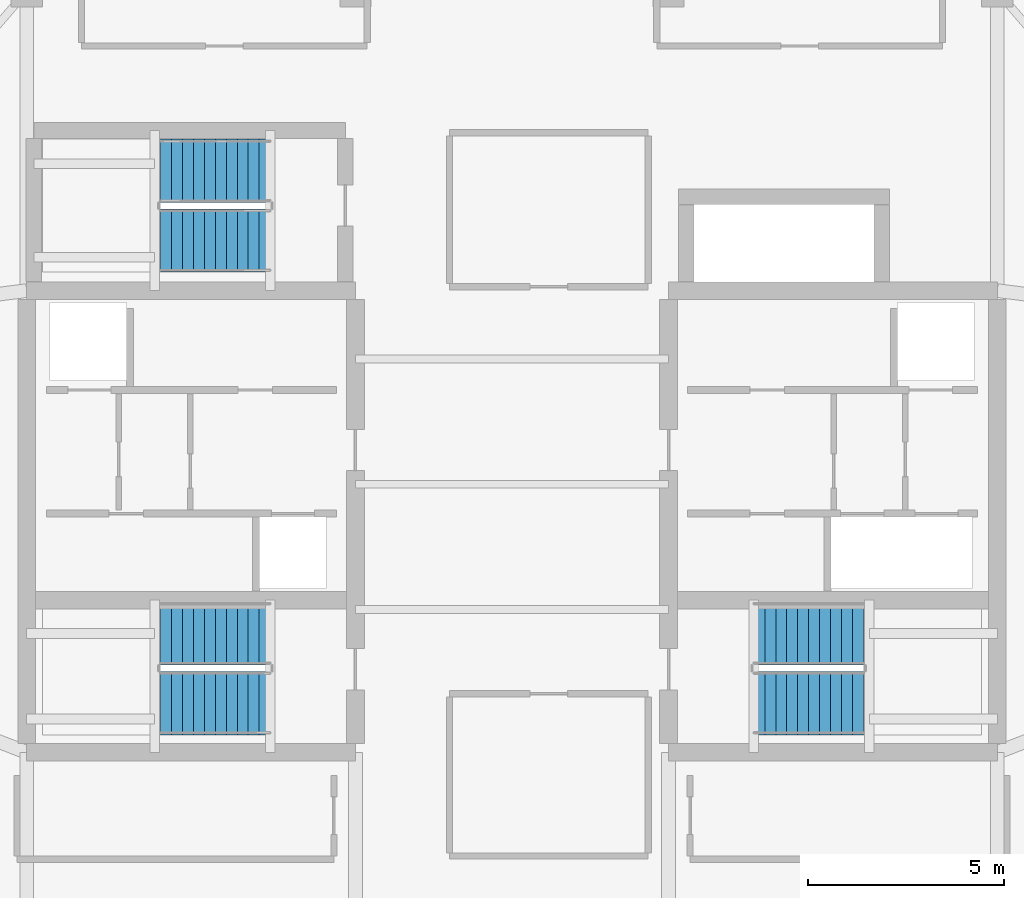
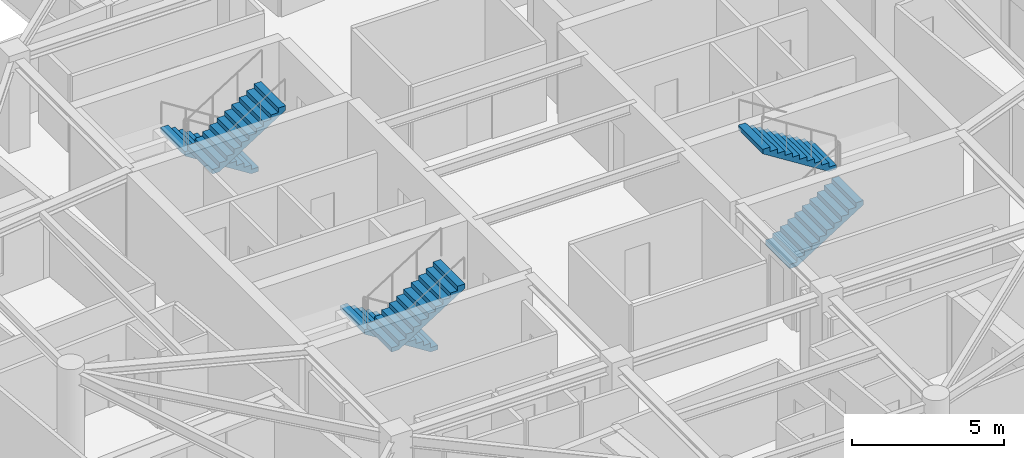
# One storey, part 9 of 13: 6 stair flights, 3 elements without a shape of their own.
"""IFC4 building model written with IfcOpenShell, lengths in metres."""

from ifc_helpers import new_model, si_unit, direction, frame, origin, place, context, subcontext, project, spatial, polyline, outline, extrude, material, layer, layer_set, type_object, element, aggregate, save


model = new_model("IFC4")

# Units and contexts
model_context = context("Model", 3, precision=1e-05, world=origin(), true_north=direction((0.0, 1.0)))
body_context = subcontext(model_context, "Body", "Model", "MODEL_VIEW")
ifc_project = project(units=[si_unit("LENGTHUNIT", "METRE"), si_unit("AREAUNIT", "SQUARE_METRE"), si_unit("VOLUMEUNIT", "CUBIC_METRE"), si_unit("PLANEANGLEUNIT", "RADIAN"), si_unit("MASSUNIT", "GRAM", prefix="KILO")], contexts=[model_context])

# Site, building, storey
site_placement = place(None, origin())
site = spatial("IfcSite", under=ifc_project, at=site_placement, CompositionType="ELEMENT")
building_placement = place(site_placement, origin())
building = spatial("IfcBuilding", under=site, at=building_placement, Name="Qingluan Cross Belvedere", CompositionType="ELEMENT")
storey_placement = place(building_placement, frame((0.0, 0.0, 285.0)))
storey = spatial("IfcBuildingStorey", under=building, at=storey_placement, Name="L71", CompositionType="ELEMENT", Elevation=285.0)

# Stair, stair flights
ifc_material_1 = material(Name="Concrete C40", Category="concrete")
stair_type = type_object("IfcStairType", Name="CoreDoglegStair_1620", PredefinedType="HALF_TURN_STAIR", material=ifc_material_1)
stair_1_placement = place(storey_placement, origin())
stair_1 = element("IfcStair", 1, at=stair_1_placement, inside=storey, type_object=stair_type, Name="L71 ST1", PredefinedType="HALF_TURN_STAIR")
ifc_material_2 = material(Name="Concrete C40", Category="concrete")
ifc_layer = layer(ifc_material_2, 0.179931640625, Name="StairFlight_RC180")
ifc_layer_set = layer_set([ifc_layer], Name="Concrete C40")
stair_flight_type = type_object("IfcStairFlightType", Name="StairFlight_RC180", PredefinedType="STRAIGHT", material=ifc_layer_set)
stair_flight_1_placement = place(storey_placement, frame((-6.179931640625, -3.81005859375, 0.0), z_axis=(0.0, 0.0, 1.0), x_axis=(-1.0, 0.0, 0.0)))
stair_flight_1 = element("IfcStairFlight", 2, at=stair_flight_1_placement, type_object=stair_flight_type, Name="ST1 flight 1", NumberOfRisers=11, NumberOfTreads=10, PredefinedType="STRAIGHT", RiserHeight=0.177272727, TreadLength=0.28, context=body_context, shape_type="SweptSolid", body=[
    extrude(outline(polyline([(0.0, 0.0), (0.0, 0.17724609375), (0.280029296875, 0.17724609375), (0.280029296875, 0.3544921875), (0.56005859375, 0.3544921875), (0.56005859375, 0.53173828125), (0.840087890625, 0.53173828125), (0.840087890625, 0.708984375), (1.1201171875, 0.708984375), (1.1201171875, 0.886474609375), (1.39990234375, 0.886474609375), (1.39990234375, 1.063720703125), (1.679931640625, 1.063720703125), (1.679931640625, 1.240966796875), (1.9599609375, 1.240966796875), (1.9599609375, 1.418212890625), (2.239990234375, 1.418212890625), (2.239990234375, 1.595458984375), (2.52001953125, 1.595458984375), (2.52001953125, 1.772705078125), (2.800048828125, 1.772705078125), (2.800048828125, 1.949951171875), (2.800048828125, 1.59521484375), (0.2802734375, 0.0), (0.0, 0.0)])), frame((0.0, 0.81005859375, 0.0), z_axis=(0.0, -1.0, 0.0), x_axis=(1.0, 0.0, 0.0)), (0.0, 0.0, 1.0), 1.6201171875),
])
stair_flight_2_placement = place(storey_placement, frame((-8.97998046875, -5.590087890625, 1.949951171875), z_axis=(0.0, 0.0, 1.0), x_axis=(1.0, 0.0, 0.0)))
stair_flight_2 = element("IfcStairFlight", 3, at=stair_flight_2_placement, type_object=stair_flight_type, Name="ST1 flight 2", NumberOfRisers=11, NumberOfTreads=10, PredefinedType="STRAIGHT", RiserHeight=0.177272727, TreadLength=0.28, context=body_context, shape_type="SweptSolid", body=[
    extrude(outline(polyline([(0.0, 0.0), (0.0, 0.17724609375), (0.280029296875, 0.17724609375), (0.280029296875, 0.3544921875), (0.56005859375, 0.3544921875), (0.56005859375, 0.53173828125), (0.840087890625, 0.53173828125), (0.840087890625, 0.708984375), (1.1201171875, 0.708984375), (1.1201171875, 0.886474609375), (1.39990234375, 0.886474609375), (1.39990234375, 1.063720703125), (1.679931640625, 1.063720703125), (1.679931640625, 1.240966796875), (1.9599609375, 1.240966796875), (1.9599609375, 1.418212890625), (2.239990234375, 1.418212890625), (2.239990234375, 1.595458984375), (2.52001953125, 1.595458984375), (2.52001953125, 1.772705078125), (2.800048828125, 1.772705078125), (2.800048828125, 1.949951171875), (2.800048828125, 1.59521484375), (0.2802734375, 0.0), (0.0, 0.0)])), frame((0.0, 0.81005859375, 0.0), z_axis=(0.0, -1.0, 0.0), x_axis=(1.0, 0.0, 0.0)), (0.0, 0.0, 1.0), 1.6201171875),
])
aggregate(stair_1, [stair_flight_1, stair_flight_2])

stair_2_placement = place(storey_placement, origin())
stair_2 = element("IfcStair", 4, at=stair_2_placement, inside=storey, type_object=stair_type, Name="L71 ST2", PredefinedType="HALF_TURN_STAIR")
stair_flight_3_placement = place(storey_placement, frame((6.179931640625, -5.590087890625, 0.0), z_axis=(0.0, 0.0, 1.0), x_axis=(1.0, 0.0, 0.0)))
stair_flight_3 = element("IfcStairFlight", 5, at=stair_flight_3_placement, type_object=stair_flight_type, Name="ST2 flight 1", NumberOfRisers=11, NumberOfTreads=10, PredefinedType="STRAIGHT", RiserHeight=0.177272727, TreadLength=0.28, context=body_context, shape_type="SweptSolid", body=[
    extrude(outline(polyline([(0.0, 0.0), (0.0, 0.17724609375), (0.280029296875, 0.17724609375), (0.280029296875, 0.3544921875), (0.56005859375, 0.3544921875), (0.56005859375, 0.53173828125), (0.840087890625, 0.53173828125), (0.840087890625, 0.708984375), (1.1201171875, 0.708984375), (1.1201171875, 0.886474609375), (1.39990234375, 0.886474609375), (1.39990234375, 1.063720703125), (1.679931640625, 1.063720703125), (1.679931640625, 1.240966796875), (1.9599609375, 1.240966796875), (1.9599609375, 1.418212890625), (2.239990234375, 1.418212890625), (2.239990234375, 1.595458984375), (2.52001953125, 1.595458984375), (2.52001953125, 1.772705078125), (2.800048828125, 1.772705078125), (2.800048828125, 1.949951171875), (2.800048828125, 1.59521484375), (0.2802734375, 0.0), (0.0, 0.0)])), frame((0.0, 0.81005859375, 0.0), z_axis=(0.0, -1.0, 0.0), x_axis=(1.0, 0.0, 0.0)), (0.0, 0.0, 1.0), 1.6201171875),
])
stair_flight_4_placement = place(storey_placement, frame((8.97998046875, -3.81005859375, 1.949951171875), z_axis=(0.0, 0.0, 1.0), x_axis=(-1.0, 0.0, 0.0)))
stair_flight_4 = element("IfcStairFlight", 6, at=stair_flight_4_placement, type_object=stair_flight_type, Name="ST2 flight 2", NumberOfRisers=11, NumberOfTreads=10, PredefinedType="STRAIGHT", RiserHeight=0.177272727, TreadLength=0.28, context=body_context, shape_type="SweptSolid", body=[
    extrude(outline(polyline([(0.0, 0.0), (0.0, 0.17724609375), (0.280029296875, 0.17724609375), (0.280029296875, 0.3544921875), (0.56005859375, 0.3544921875), (0.56005859375, 0.53173828125), (0.840087890625, 0.53173828125), (0.840087890625, 0.708984375), (1.1201171875, 0.708984375), (1.1201171875, 0.886474609375), (1.39990234375, 0.886474609375), (1.39990234375, 1.063720703125), (1.679931640625, 1.063720703125), (1.679931640625, 1.240966796875), (1.9599609375, 1.240966796875), (1.9599609375, 1.418212890625), (2.239990234375, 1.418212890625), (2.239990234375, 1.595458984375), (2.52001953125, 1.595458984375), (2.52001953125, 1.772705078125), (2.800048828125, 1.772705078125), (2.800048828125, 1.949951171875), (2.800048828125, 1.59521484375), (0.2802734375, 0.0), (0.0, 0.0)])), frame((0.0, 0.81005859375, 0.0), z_axis=(0.0, -1.0, 0.0), x_axis=(1.0, 0.0, 0.0)), (0.0, 0.0, 1.0), 1.6201171875),
])
aggregate(stair_2, [stair_flight_3, stair_flight_4])

stair_3_placement = place(storey_placement, origin())
stair_3 = element("IfcStair", 7, at=stair_3_placement, inside=storey, type_object=stair_type, Name="L71 ST3", PredefinedType="HALF_TURN_STAIR")
stair_flight_5_placement = place(storey_placement, frame((-6.179931640625, 8.010009765625, 0.0), z_axis=(0.0, 0.0, 1.0), x_axis=(-1.0, 0.0, 0.0)))
stair_flight_5 = element("IfcStairFlight", 8, at=stair_flight_5_placement, type_object=stair_flight_type, Name="ST3 flight 1", NumberOfRisers=11, NumberOfTreads=10, PredefinedType="STRAIGHT", RiserHeight=0.177272727, TreadLength=0.28, context=body_context, shape_type="SweptSolid", body=[
    extrude(outline(polyline([(0.0, 0.0), (0.0, 0.17724609375), (0.280029296875, 0.17724609375), (0.280029296875, 0.3544921875), (0.56005859375, 0.3544921875), (0.56005859375, 0.53173828125), (0.840087890625, 0.53173828125), (0.840087890625, 0.708984375), (1.1201171875, 0.708984375), (1.1201171875, 0.886474609375), (1.39990234375, 0.886474609375), (1.39990234375, 1.063720703125), (1.679931640625, 1.063720703125), (1.679931640625, 1.240966796875), (1.9599609375, 1.240966796875), (1.9599609375, 1.418212890625), (2.239990234375, 1.418212890625), (2.239990234375, 1.595458984375), (2.52001953125, 1.595458984375), (2.52001953125, 1.772705078125), (2.800048828125, 1.772705078125), (2.800048828125, 1.949951171875), (2.800048828125, 1.59521484375), (0.2802734375, 0.0), (0.0, 0.0)])), frame((0.0, 0.81005859375, 0.0), z_axis=(0.0, -1.0, 0.0), x_axis=(1.0, 0.0, 0.0)), (0.0, 0.0, 1.0), 1.6201171875),
])
stair_flight_6_placement = place(storey_placement, frame((-8.97998046875, 6.22998046875, 1.949951171875), z_axis=(0.0, 0.0, 1.0), x_axis=(1.0, 0.0, 0.0)))
stair_flight_6 = element("IfcStairFlight", 9, at=stair_flight_6_placement, type_object=stair_flight_type, Name="ST3 flight 2", NumberOfRisers=11, NumberOfTreads=10, PredefinedType="STRAIGHT", RiserHeight=0.177272727, TreadLength=0.28, context=body_context, shape_type="SweptSolid", body=[
    extrude(outline(polyline([(0.0, 0.0), (0.0, 0.17724609375), (0.280029296875, 0.17724609375), (0.280029296875, 0.3544921875), (0.56005859375, 0.3544921875), (0.56005859375, 0.53173828125), (0.840087890625, 0.53173828125), (0.840087890625, 0.708984375), (1.1201171875, 0.708984375), (1.1201171875, 0.886474609375), (1.39990234375, 0.886474609375), (1.39990234375, 1.063720703125), (1.679931640625, 1.063720703125), (1.679931640625, 1.240966796875), (1.9599609375, 1.240966796875), (1.9599609375, 1.418212890625), (2.239990234375, 1.418212890625), (2.239990234375, 1.595458984375), (2.52001953125, 1.595458984375), (2.52001953125, 1.772705078125), (2.800048828125, 1.772705078125), (2.800048828125, 1.949951171875), (2.800048828125, 1.59521484375), (0.2802734375, 0.0), (0.0, 0.0)])), frame((0.0, 0.81005859375, 0.0), z_axis=(0.0, -1.0, 0.0), x_axis=(1.0, 0.0, 0.0)), (0.0, 0.0, 1.0), 1.6201171875),
])
aggregate(stair_3, [stair_flight_5, stair_flight_6])

save(model, "model.ifc")
